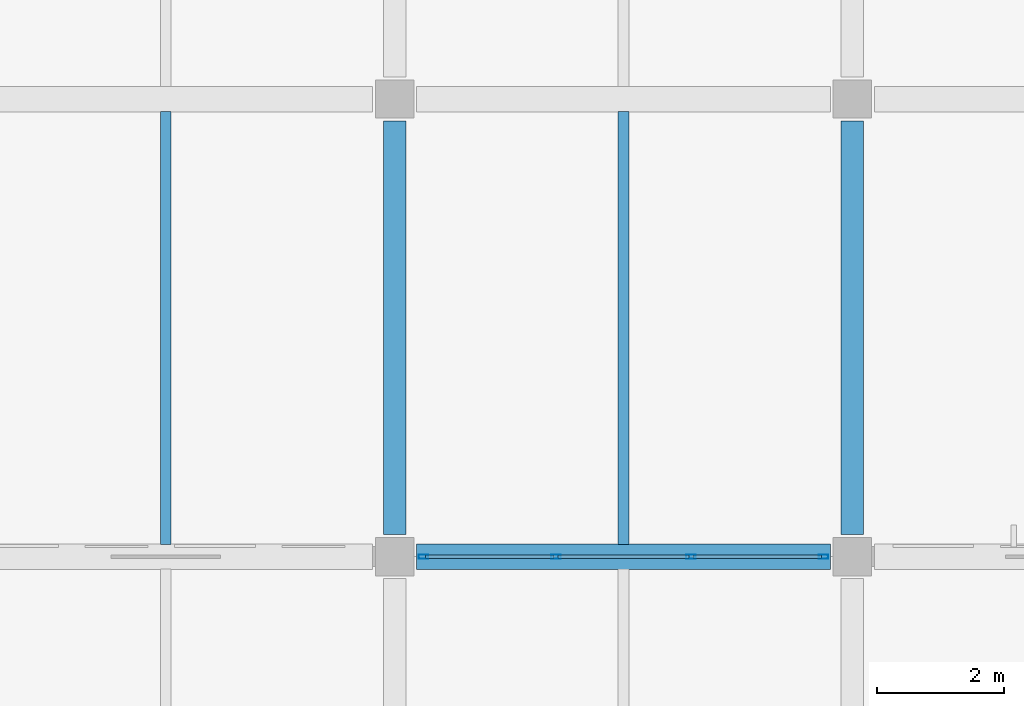
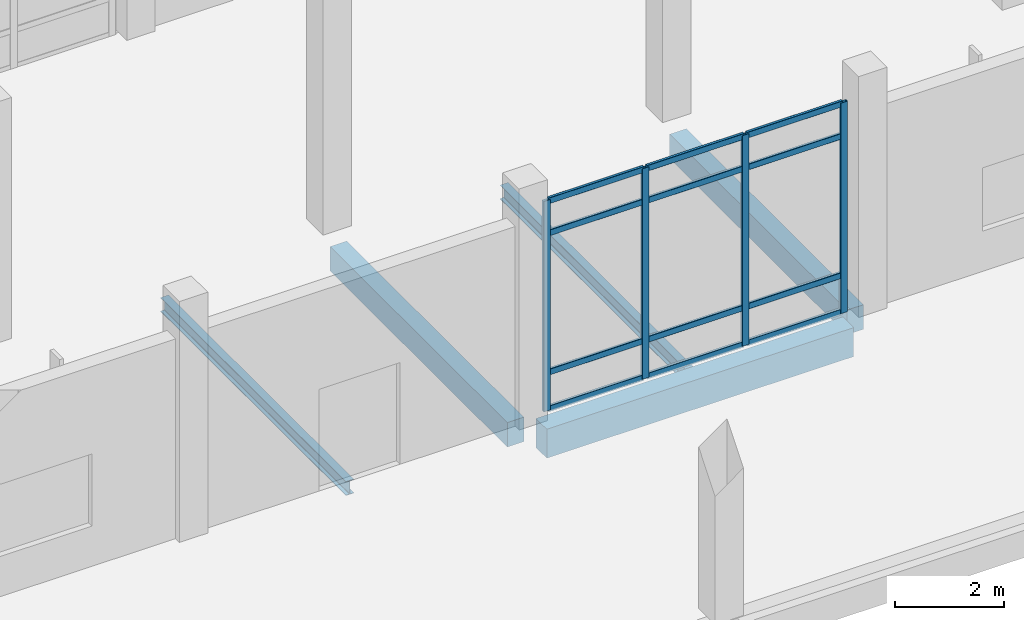
# One storey, part 119 of 180: 16 members, 5 beams, 1 element without a shape of its own.
"""IFC4 building model written with IfcOpenShell, lengths in metres."""

from ifc_helpers import new_model, si_unit, direction, frame, origin, origin_2d, place, context, subcontext, project, spatial, rectangle, hollow_rectangle, i_section, extrude, material, material_profile, profile_set, type_object, element, aggregate, save


model = new_model("IFC4")

# Units and contexts
model_context = context("Model", 3, precision=1e-05, world=origin(), true_north=direction((0.0, 1.0)))
body_context = subcontext(model_context, "Body", "Model", "MODEL_VIEW")
ifc_project = project(units=[si_unit("LENGTHUNIT", "METRE"), si_unit("AREAUNIT", "SQUARE_METRE"), si_unit("VOLUMEUNIT", "CUBIC_METRE"), si_unit("PLANEANGLEUNIT", "RADIAN"), si_unit("MASSUNIT", "GRAM", prefix="KILO")], contexts=[model_context])

# Site, building, storey
site_placement = place(None, origin())
site = spatial("IfcSite", under=ifc_project, at=site_placement, CompositionType="ELEMENT")
building_placement = place(site_placement, origin())
building = spatial("IfcBuilding", under=site, at=building_placement, Name="Lusvemor Sports Hall", CompositionType="ELEMENT")
storey_placement = place(building_placement, frame((0.0, 0.0, 5.39990234375)))
storey = spatial("IfcBuildingStorey", under=building, at=storey_placement, Name="L01", CompositionType="ELEMENT", Elevation=5.39990234375)

# Beams
ifc_material_1 = material(Name="Concrete C40/50", Category="concrete")
ifc_material_profile_1 = material_profile(ifc_material_1, rectangle(XDim=0.35009765625, YDim=0.550048828125, at=origin_2d()), Name="RC350x550")
ifc_profile_set_1 = profile_set([ifc_material_profile_1], Name="Concrete C40/50")
beam_type_1 = type_object("IfcBeamType", Name="BEAM_RC_550", PredefinedType="BEAM", material=ifc_profile_set_1)
for number, where, z_axis, x_axis, name in (
    (1, (147.60009765625, 83.14599609375, -0.544921875), (0.0, 1.0, 0.0), (-1.0, 0.0, 0.0), "Beam L01 17:L-M"),
    (2, (154.800048828125, 83.14599609375, -0.544921875), (0.0, 1.0, 0.0), (-1.0, 0.0, 0.0), "Beam L01 18:L-M"),
):
    element("IfcBeam", number, at=place(storey_placement, frame(where, z_axis=z_axis, x_axis=x_axis)), inside=storey, type_object=beam_type_1, Name=name, PredefinedType="BEAM", context=body_context, shape_type="SweptSolid", body=[
        extrude(rectangle(XDim=0.35009765625, YDim=0.550048828125, at=origin_2d()), origin(), (0.0, 0.0, 1.0), 6.508056640625),
    ])
ifc_material_2 = material(Name="Concrete C40/50", Category="concrete")
ifc_material_profile_2 = material_profile(ifc_material_2, rectangle(XDim=0.39990234375, YDim=0.64990234375, at=origin_2d()), Name="RC400x650")
ifc_profile_set_2 = profile_set([ifc_material_profile_2], Name="Concrete C40/50")
beam_type_2 = type_object("IfcBeamType", Name="BEAM_RC_650", PredefinedType="BEAM", material=ifc_profile_set_2)
beam_placement = place(storey_placement, frame((147.946044921875, 82.800048828125, -0.594970703125), z_axis=(1.0, 0.0, 0.0), x_axis=(0.0, 1.0, 0.0)))
element("IfcBeam", 3, at=beam_placement, inside=storey, type_object=beam_type_2, Name="Beam L01 L:17-18", PredefinedType="BEAM", context=body_context, shape_type="SweptSolid", body=[
    extrude(rectangle(XDim=0.39990234375, YDim=0.64990234375, at=origin_2d()), origin(), (0.0, 0.0, 1.0), 6.508056640625),
])

# Curtain wall, members
ifc_material_3 = material(Name="Thermally broken bronze-anodized aluminium", Category="aluminium")
curtain_wall_type = type_object("IfcCurtainWallType", Name="CW_WING_B", PredefinedType="NOTDEFINED", material=ifc_material_3)
curtain_wall_placement = place(storey_placement, origin())
curtain_wall = element("IfcCurtainWall", 4, at=curtain_wall_placement, inside=storey, type_object=curtain_wall_type, Name="Curtain Wall CW-L01-N-5-2", PredefinedType="NOTDEFINED")
ifc_material_4 = material(Name="Thermally broken bronze-anodized aluminium", Category="aluminium")
ifc_material_profile_3 = material_profile(ifc_material_4, hollow_rectangle(XDim=0.06494140625, YDim=0.14990234375, WallThickness=0.00390625, InnerFilletRadius=0.00390625, OuterFilletRadius=0.008056640625, at=origin_2d()), Name="CWMUL150x65x4")
ifc_profile_set_3 = profile_set([ifc_material_profile_3], Name="Thermally broken bronze-anodized aluminium")
member_type_1 = type_object("IfcMemberType", Name="CW_MUL_B", PredefinedType="MULLION", material=ifc_profile_set_3)
member_1_placement = place(storey_placement, frame((148.052490234375, 82.800048828125, 0.0), z_axis=(0.0, 0.0, 1.0), x_axis=(0.0, 1.0, 0.0)))
member_1 = element("IfcMember", 5, at=member_1_placement, type_object=member_type_1, Name="CW02 mullion 1", PredefinedType="MULLION", context=body_context, shape_type="SweptSolid", body=[
    extrude(hollow_rectangle(XDim=0.06494140625, YDim=0.14990234375, WallThickness=0.00390625, InnerFilletRadius=0.00390625, OuterFilletRadius=0.008056640625, at=origin_2d()), origin(), (0.0, 0.0, 1.0), 4.72021484375),
])
member_2_placement = place(storey_placement, frame((150.139892578125, 82.800048828125, 0.0), z_axis=(0.0, 0.0, 1.0), x_axis=(0.0, 1.0, 0.0)))
member_2 = element("IfcMember", 6, at=member_2_placement, type_object=member_type_1, Name="CW02 mullion 2", PredefinedType="MULLION", context=body_context, shape_type="SweptSolid", body=[
    extrude(hollow_rectangle(XDim=0.06494140625, YDim=0.14990234375, WallThickness=0.00390625, InnerFilletRadius=0.00390625, OuterFilletRadius=0.008056640625, at=origin_2d()), origin(), (0.0, 0.0, 1.0), 4.72021484375),
])
member_3_placement = place(storey_placement, frame((152.260009765625, 82.800048828125, 0.0), z_axis=(0.0, 0.0, 1.0), x_axis=(0.0, 1.0, 0.0)))
member_3 = element("IfcMember", 7, at=member_3_placement, type_object=member_type_1, Name="CW02 mullion 3", PredefinedType="MULLION", context=body_context, shape_type="SweptSolid", body=[
    extrude(hollow_rectangle(XDim=0.06494140625, YDim=0.14990234375, WallThickness=0.00390625, InnerFilletRadius=0.00390625, OuterFilletRadius=0.008056640625, at=origin_2d()), origin(), (0.0, 0.0, 1.0), 4.72021484375),
])
member_4_placement = place(storey_placement, frame((154.347412109375, 82.800048828125, 0.0), z_axis=(0.0, 0.0, 1.0), x_axis=(0.0, 1.0, 0.0)))
member_4 = element("IfcMember", 8, at=member_4_placement, type_object=member_type_1, Name="CW02 mullion 4", PredefinedType="MULLION", context=body_context, shape_type="SweptSolid", body=[
    extrude(hollow_rectangle(XDim=0.06494140625, YDim=0.14990234375, WallThickness=0.00390625, InnerFilletRadius=0.00390625, OuterFilletRadius=0.008056640625, at=origin_2d()), origin(), (0.0, 0.0, 1.0), 4.72021484375),
])
ifc_material_5 = material(Name="Thermally broken bronze-anodized aluminium", Category="aluminium")
ifc_material_profile_4 = material_profile(ifc_material_5, hollow_rectangle(XDim=0.06005859375, YDim=0.135009765625, WallThickness=0.00390625, InnerFilletRadius=0.00390625, OuterFilletRadius=0.008056640625, at=origin_2d()), Name="CWTRN135x60x4")
ifc_profile_set_4 = profile_set([ifc_material_profile_4], Name="Thermally broken bronze-anodized aluminium")
member_type_2 = type_object("IfcMemberType", Name="CW_TRN_B", PredefinedType="USERDEFINED", material=ifc_profile_set_4)
member_5_placement = place(storey_placement, frame((148.0849609375, 82.800048828125, 0.030029296875), z_axis=(1.0, 0.0, 0.0), x_axis=(0.0, 1.0, 0.0)))
member_5 = element("IfcMember", 9, at=member_5_placement, type_object=member_type_2, Name="CW02 transom 1.1", ObjectType="TRANSOM", PredefinedType="USERDEFINED", context=body_context, shape_type="SweptSolid", body=[
    extrude(hollow_rectangle(XDim=0.06005859375, YDim=0.135009765625, WallThickness=0.00390625, InnerFilletRadius=0.00390625, OuterFilletRadius=0.008056640625, at=origin_2d()), origin(), (0.0, 0.0, 1.0), 2.0224609375),
])
member_6_placement = place(storey_placement, frame((148.0849609375, 82.800048828125, 0.85009765625), z_axis=(1.0, 0.0, 0.0), x_axis=(0.0, 1.0, 0.0)))
member_6 = element("IfcMember", 10, at=member_6_placement, type_object=member_type_2, Name="CW02 transom 1.2", ObjectType="TRANSOM", PredefinedType="USERDEFINED", context=body_context, shape_type="SweptSolid", body=[
    extrude(hollow_rectangle(XDim=0.06005859375, YDim=0.135009765625, WallThickness=0.00390625, InnerFilletRadius=0.00390625, OuterFilletRadius=0.008056640625, at=origin_2d()), origin(), (0.0, 0.0, 1.0), 2.0224609375),
])
member_7_placement = place(storey_placement, frame((148.0849609375, 82.800048828125, 3.97021484375), z_axis=(1.0, 0.0, 0.0), x_axis=(0.0, 1.0, 0.0)))
member_7 = element("IfcMember", 11, at=member_7_placement, type_object=member_type_2, Name="CW02 transom 1.3", ObjectType="TRANSOM", PredefinedType="USERDEFINED", context=body_context, shape_type="SweptSolid", body=[
    extrude(hollow_rectangle(XDim=0.06005859375, YDim=0.135009765625, WallThickness=0.00390625, InnerFilletRadius=0.00390625, OuterFilletRadius=0.008056640625, at=origin_2d()), origin(), (0.0, 0.0, 1.0), 2.0224609375),
])
member_8_placement = place(storey_placement, frame((148.0849609375, 82.800048828125, 4.690185546875), z_axis=(1.0, 0.0, 0.0), x_axis=(0.0, 1.0, 0.0)))
member_8 = element("IfcMember", 12, at=member_8_placement, type_object=member_type_2, Name="CW02 transom 1.4", ObjectType="TRANSOM", PredefinedType="USERDEFINED", context=body_context, shape_type="SweptSolid", body=[
    extrude(hollow_rectangle(XDim=0.06005859375, YDim=0.135009765625, WallThickness=0.00390625, InnerFilletRadius=0.00390625, OuterFilletRadius=0.008056640625, at=origin_2d()), origin(), (0.0, 0.0, 1.0), 2.0224609375),
])
member_9_placement = place(storey_placement, frame((150.172607421875, 82.800048828125, 0.030029296875), z_axis=(1.0, 0.0, 0.0), x_axis=(0.0, 1.0, 0.0)))
member_9 = element("IfcMember", 13, at=member_9_placement, type_object=member_type_2, Name="CW02 transom 2.1", ObjectType="TRANSOM", PredefinedType="USERDEFINED", context=body_context, shape_type="SweptSolid", body=[
    extrude(hollow_rectangle(XDim=0.06005859375, YDim=0.135009765625, WallThickness=0.00390625, InnerFilletRadius=0.00390625, OuterFilletRadius=0.008056640625, at=origin_2d()), origin(), (0.0, 0.0, 1.0), 2.054931640625),
])
member_10_placement = place(storey_placement, frame((150.172607421875, 82.800048828125, 0.85009765625), z_axis=(1.0, 0.0, 0.0), x_axis=(0.0, 1.0, 0.0)))
member_10 = element("IfcMember", 14, at=member_10_placement, type_object=member_type_2, Name="CW02 transom 2.2", ObjectType="TRANSOM", PredefinedType="USERDEFINED", context=body_context, shape_type="SweptSolid", body=[
    extrude(hollow_rectangle(XDim=0.06005859375, YDim=0.135009765625, WallThickness=0.00390625, InnerFilletRadius=0.00390625, OuterFilletRadius=0.008056640625, at=origin_2d()), origin(), (0.0, 0.0, 1.0), 2.054931640625),
])
member_11_placement = place(storey_placement, frame((150.172607421875, 82.800048828125, 3.97021484375), z_axis=(1.0, 0.0, 0.0), x_axis=(0.0, 1.0, 0.0)))
member_11 = element("IfcMember", 15, at=member_11_placement, type_object=member_type_2, Name="CW02 transom 2.3", ObjectType="TRANSOM", PredefinedType="USERDEFINED", context=body_context, shape_type="SweptSolid", body=[
    extrude(hollow_rectangle(XDim=0.06005859375, YDim=0.135009765625, WallThickness=0.00390625, InnerFilletRadius=0.00390625, OuterFilletRadius=0.008056640625, at=origin_2d()), origin(), (0.0, 0.0, 1.0), 2.054931640625),
])
member_12_placement = place(storey_placement, frame((150.172607421875, 82.800048828125, 4.690185546875), z_axis=(1.0, 0.0, 0.0), x_axis=(0.0, 1.0, 0.0)))
member_12 = element("IfcMember", 16, at=member_12_placement, type_object=member_type_2, Name="CW02 transom 2.4", ObjectType="TRANSOM", PredefinedType="USERDEFINED", context=body_context, shape_type="SweptSolid", body=[
    extrude(hollow_rectangle(XDim=0.06005859375, YDim=0.135009765625, WallThickness=0.00390625, InnerFilletRadius=0.00390625, OuterFilletRadius=0.008056640625, at=origin_2d()), origin(), (0.0, 0.0, 1.0), 2.054931640625),
])
member_13_placement = place(storey_placement, frame((152.29248046875, 82.800048828125, 0.030029296875), z_axis=(1.0, 0.0, 0.0), x_axis=(0.0, 1.0, 0.0)))
member_13 = element("IfcMember", 17, at=member_13_placement, type_object=member_type_2, Name="CW02 transom 3.1", ObjectType="TRANSOM", PredefinedType="USERDEFINED", context=body_context, shape_type="SweptSolid", body=[
    extrude(hollow_rectangle(XDim=0.06005859375, YDim=0.135009765625, WallThickness=0.00390625, InnerFilletRadius=0.00390625, OuterFilletRadius=0.008056640625, at=origin_2d()), origin(), (0.0, 0.0, 1.0), 2.0224609375),
])
member_14_placement = place(storey_placement, frame((152.29248046875, 82.800048828125, 0.85009765625), z_axis=(1.0, 0.0, 0.0), x_axis=(0.0, 1.0, 0.0)))
member_14 = element("IfcMember", 18, at=member_14_placement, type_object=member_type_2, Name="CW02 transom 3.2", ObjectType="TRANSOM", PredefinedType="USERDEFINED", context=body_context, shape_type="SweptSolid", body=[
    extrude(hollow_rectangle(XDim=0.06005859375, YDim=0.135009765625, WallThickness=0.00390625, InnerFilletRadius=0.00390625, OuterFilletRadius=0.008056640625, at=origin_2d()), origin(), (0.0, 0.0, 1.0), 2.0224609375),
])
member_15_placement = place(storey_placement, frame((152.29248046875, 82.800048828125, 3.97021484375), z_axis=(1.0, 0.0, 0.0), x_axis=(0.0, 1.0, 0.0)))
member_15 = element("IfcMember", 19, at=member_15_placement, type_object=member_type_2, Name="CW02 transom 3.3", ObjectType="TRANSOM", PredefinedType="USERDEFINED", context=body_context, shape_type="SweptSolid", body=[
    extrude(hollow_rectangle(XDim=0.06005859375, YDim=0.135009765625, WallThickness=0.00390625, InnerFilletRadius=0.00390625, OuterFilletRadius=0.008056640625, at=origin_2d()), origin(), (0.0, 0.0, 1.0), 2.0224609375),
])
member_16_placement = place(storey_placement, frame((152.29248046875, 82.800048828125, 4.690185546875), z_axis=(1.0, 0.0, 0.0), x_axis=(0.0, 1.0, 0.0)))
member_16 = element("IfcMember", 20, at=member_16_placement, type_object=member_type_2, Name="CW02 transom 3.4", ObjectType="TRANSOM", PredefinedType="USERDEFINED", context=body_context, shape_type="SweptSolid", body=[
    extrude(hollow_rectangle(XDim=0.06005859375, YDim=0.135009765625, WallThickness=0.00390625, InnerFilletRadius=0.00390625, OuterFilletRadius=0.008056640625, at=origin_2d()), origin(), (0.0, 0.0, 1.0), 2.0224609375),
])
aggregate(curtain_wall, [member_1, member_2, member_3, member_4, member_5, member_6, member_7, member_8, member_9, member_10, member_11, member_12, member_13, member_14, member_15, member_16])

# Beams
ifc_material_6 = material(Name="Steel S355", Category="steel")
ifc_material_profile_5 = material_profile(ifc_material_6, i_section(OverallWidth=0.1669921875, OverallDepth=0.31689453125, WebThickness=0.007568359375, FlangeThickness=0.01318359375, FilletRadius=0.014892578125, at=origin_2d()), Name="W310x52.0")
ifc_profile_set_5 = profile_set([ifc_material_profile_5], Name="Steel S355")
beam_type_3 = type_object("IfcBeamType", Name="JOIST_ST_310M", PredefinedType="JOIST", material=ifc_profile_set_5)
for number, where, z_axis, x_axis, name in (
    (21, (144.0, 82.99609375, -0.432373046875), (0.0, 1.0, 0.0), (-1.0, 0.0, 0.0), "Secondary Joist L01 16-17/L-M #1"),
    (22, (151.199951171875, 82.99609375, -0.432373046875), (0.0, 1.0, 0.0), (-1.0, 0.0, 0.0), "Secondary Joist L01 17-18/L-M #1"),
):
    element("IfcBeam", number, at=place(storey_placement, frame(where, z_axis=z_axis, x_axis=x_axis)), inside=storey, type_object=beam_type_3, Name=name, PredefinedType="JOIST", context=body_context, shape_type="SweptSolid", body=[
        extrude(i_section(OverallWidth=0.1669921875, OverallDepth=0.31689453125, WebThickness=0.007568359375, FlangeThickness=0.01318359375, FilletRadius=0.014892578125, at=origin_2d()), origin(), (0.0, 0.0, 1.0), 6.807861328125),
    ])

save(model, "model.ifc")
